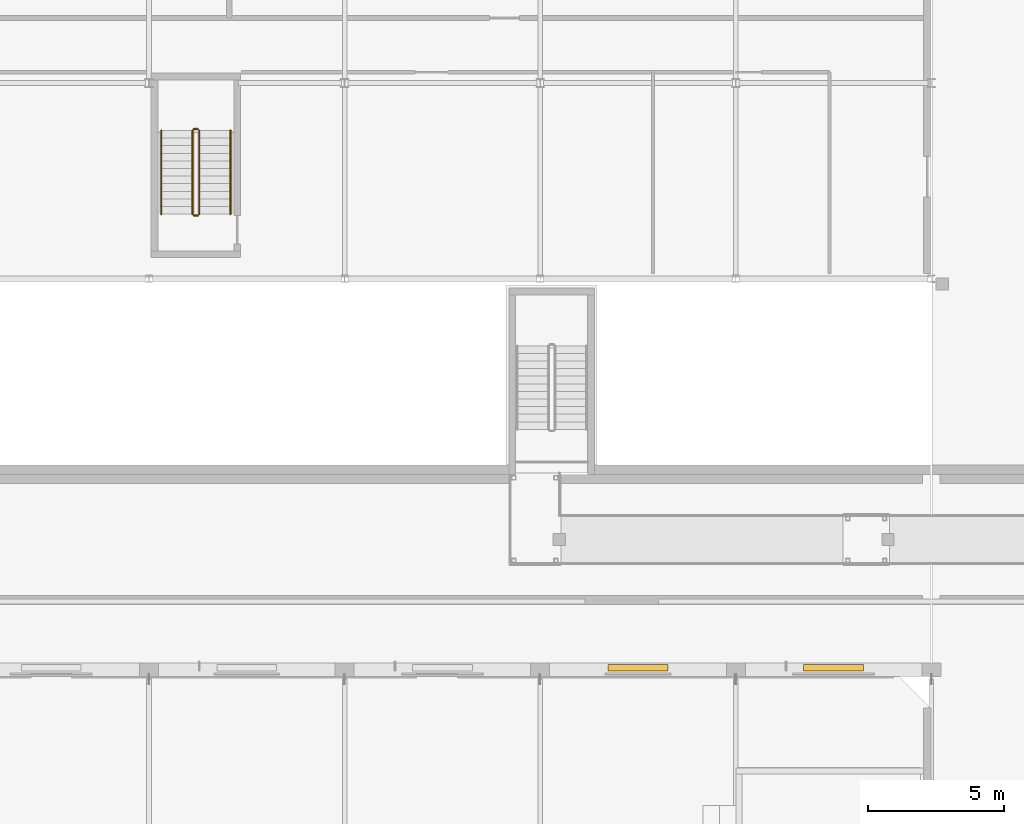
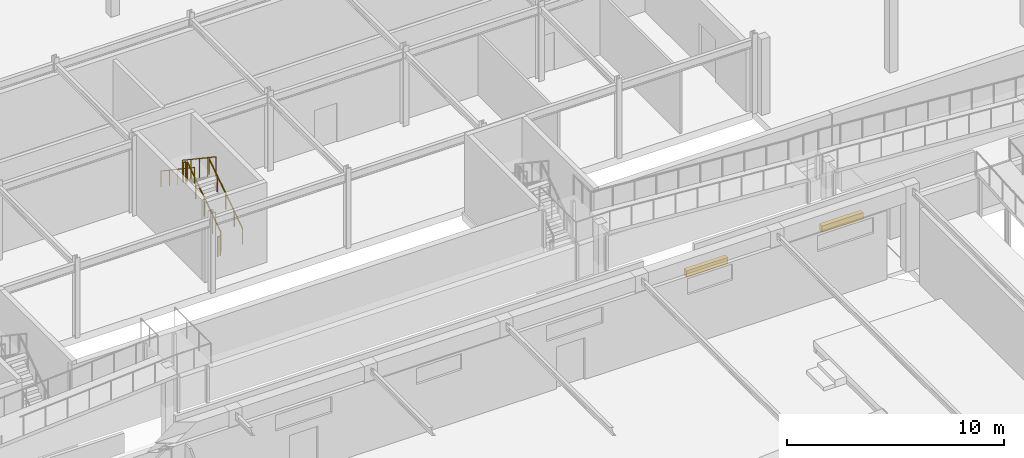
# One storey, part 80 of 85: 6 railings, 2 shading devices.
"""IFC4 building model written with IfcOpenShell, lengths in metres."""

from ifc_helpers import new_model, si_unit, direction, frame, origin, origin_2d, place, context, subcontext, project, spatial, rectangle, circle, extrude, material, type_object, element, save


model = new_model("IFC4")

# Units and contexts
model_context = context("Model", 3, precision=1e-05, world=origin(), true_north=direction((0.0, 1.0)))
body_context = subcontext(model_context, "Body", "Model", "MODEL_VIEW")
ifc_project = project(units=[si_unit("LENGTHUNIT", "METRE"), si_unit("AREAUNIT", "SQUARE_METRE"), si_unit("VOLUMEUNIT", "CUBIC_METRE"), si_unit("PLANEANGLEUNIT", "RADIAN"), si_unit("MASSUNIT", "GRAM", prefix="KILO")], contexts=[model_context])

# Site, building, storey
site_placement = place(None, origin())
site = spatial("IfcSite", under=ifc_project, at=site_placement, CompositionType="ELEMENT")
building_placement = place(site_placement, origin())
building = spatial("IfcBuilding", under=site, at=building_placement, Name="Ochrevale Crest", CompositionType="ELEMENT")
storey_placement = place(building_placement, origin())
storey = spatial("IfcBuildingStorey", under=building, at=storey_placement, Name="L00", CompositionType="ELEMENT", Elevation=0.0)

# Railings
ifc_material_1 = material(Name="Galvanised steel", Category="steel")
railing_type_1 = type_object("IfcRailingType", Name="RL-ST-GUARD", PredefinedType="BALUSTRADE", material=ifc_material_1)
railing_1_placement = place(storey_placement, frame((81.050048828125, 81.574951171875, 0.1875)))
element("IfcRailing", 1, at=railing_1_placement, inside=storey, type_object=railing_type_1, Name="L00 ST-N1 stair guard 1", PredefinedType="BALUSTRADE", context=body_context, shape_type="SweptSolid", body=[
    extrude(circle(Radius=0.02392578125, at=origin_2d()), frame((0.0, 0.0, 1.076171875), z_axis=(0.0, 0.830913701846, 0.55640131208), x_axis=(-1.0, 0.0, 0.0)), (0.0, 0.0, 1.0), 3.706787109375),
    extrude(circle(Radius=0.02099609375, at=origin_2d()), origin(), (0.0, 0.0, 1.0), 1.052001953125),
    extrude(circle(Radius=0.02099609375, at=origin_2d()), frame((0.0, 0.77001953125, 0.515625)), (0.0, 0.0, 1.0), 1.052001953125),
    extrude(circle(Radius=0.02099609375, at=origin_2d()), frame((0.0, 1.5400390625, 1.03125)), (0.0, 0.0, 1.0), 1.052001953125),
    extrude(circle(Radius=0.02099609375, at=origin_2d()), frame((0.0, 2.31005859375, 1.546875)), (0.0, 0.0, 1.0), 1.052001953125),
    extrude(circle(Radius=0.02099609375, at=origin_2d()), frame((0.0, 3.080078125, 2.0625)), (0.0, 0.0, 1.0), 1.052001953125),
])
railing_2_placement = place(storey_placement, frame((81.0, 84.705078125, 2.25)))
element("IfcRailing", 2, at=railing_2_placement, inside=storey, type_object=railing_type_1, Name="L00 ST-N1 stair guard 2", PredefinedType="BALUSTRADE", context=body_context, shape_type="SweptSolid", body=[
    extrude(circle(Radius=0.02392578125, at=origin_2d()), frame((0.0, 0.0, 1.076171875), z_axis=(-1.0, 0.0, 0.0), x_axis=(0.0, -1.0, 0.0)), (0.0, 0.0, 1.0), 0.14990234375),
    extrude(circle(Radius=0.02099609375, at=origin_2d()), origin(), (0.0, 0.0, 1.0), 1.052001953125),
    extrude(circle(Radius=0.02099609375, at=origin_2d()), frame((-0.14990234375, 0.0, 0.0)), (0.0, 0.0, 1.0), 1.052001953125),
])
railing_3_placement = place(storey_placement, frame((80.800048828125, 84.655029296875, 2.4375)))
element("IfcRailing", 3, at=railing_3_placement, inside=storey, type_object=railing_type_1, Name="L00 ST-N1 stair guard 3", PredefinedType="BALUSTRADE", context=body_context, shape_type="SweptSolid", body=[
    extrude(circle(Radius=0.02392578125, at=origin_2d()), frame((0.0, 0.0, 1.076171875), z_axis=(0.0, -0.830913701846, 0.55640131208), x_axis=(1.0, 0.0, 0.0)), (0.0, 0.0, 1.0), 3.706787109375),
    extrude(circle(Radius=0.02099609375, at=origin_2d()), origin(), (0.0, 0.0, 1.0), 1.052001953125),
    extrude(circle(Radius=0.02099609375, at=origin_2d()), frame((0.0, -0.77001953125, 0.515625)), (0.0, 0.0, 1.0), 1.052001953125),
    extrude(circle(Radius=0.02099609375, at=origin_2d()), frame((0.0, -1.5400390625, 1.03125)), (0.0, 0.0, 1.0), 1.052001953125),
    extrude(circle(Radius=0.02099609375, at=origin_2d()), frame((0.0, -2.31005859375, 1.546875)), (0.0, 0.0, 1.0), 1.052001953125),
    extrude(circle(Radius=0.02099609375, at=origin_2d()), frame((0.0, -3.080078125, 2.0625)), (0.0, 0.0, 1.0), 1.052001953125),
])
railing_4_placement = place(storey_placement, frame((81.0, 81.52490234375, 0.0)))
element("IfcRailing", 4, at=railing_4_placement, inside=storey, type_object=railing_type_1, Name="L00 ST-N1 stair guard 4", PredefinedType="BALUSTRADE", context=body_context, shape_type="SweptSolid", body=[
    extrude(circle(Radius=0.02392578125, at=origin_2d()), frame((0.0, 0.0, 1.076171875), z_axis=(-1.0, 0.0, 0.0), x_axis=(0.0, -1.0, 0.0)), (0.0, 0.0, 1.0), 0.14990234375),
    extrude(circle(Radius=0.02099609375, at=origin_2d()), origin(), (0.0, 0.0, 1.0), 1.052001953125),
    extrude(circle(Radius=0.02099609375, at=origin_2d()), frame((-0.14990234375, 0.0, 0.0)), (0.0, 0.0, 1.0), 1.052001953125),
])
ifc_material_2 = material(Name="Stainless steel", Category="steel")
railing_type_2 = type_object("IfcRailingType", Name="RL-ST-HRAIL", PredefinedType="HANDRAIL", material=ifc_material_2)
railing_5_placement = place(storey_placement, frame((82.199951171875, 81.574951171875, 0.1875)))
element("IfcRailing", 5, at=railing_5_placement, inside=storey, type_object=railing_type_2, Name="L00 ST-N1 stair handrail 1", PredefinedType="HANDRAIL", context=body_context, shape_type="SweptSolid", body=[
    extrude(circle(Radius=0.02392578125, at=origin_2d()), frame((0.0, 0.0, 0.8759765625), z_axis=(0.0, 0.830913701846, 0.55640131208), x_axis=(-1.0, 0.0, 0.0)), (0.0, 0.0, 1.0), 3.706787109375),
    extrude(circle(Radius=0.02099609375, at=origin_2d()), origin(), (0.0, 0.0, 1.0), 0.851806640625),
    extrude(circle(Radius=0.02099609375, at=origin_2d()), frame((0.0, 0.77001953125, 0.515625)), (0.0, 0.0, 1.0), 0.851806640625),
    extrude(circle(Radius=0.02099609375, at=origin_2d()), frame((0.0, 1.5400390625, 1.03125)), (0.0, 0.0, 1.0), 0.851806640625),
    extrude(circle(Radius=0.02099609375, at=origin_2d()), frame((0.0, 2.31005859375, 1.546875)), (0.0, 0.0, 1.0), 0.851806640625),
    extrude(circle(Radius=0.02099609375, at=origin_2d()), frame((0.0, 3.080078125, 2.0625)), (0.0, 0.0, 1.0), 0.851806640625),
])
railing_6_placement = place(storey_placement, frame((79.64990234375, 84.655029296875, 2.4375)))
element("IfcRailing", 6, at=railing_6_placement, inside=storey, type_object=railing_type_2, Name="L00 ST-N1 stair handrail 2", PredefinedType="HANDRAIL", context=body_context, shape_type="SweptSolid", body=[
    extrude(circle(Radius=0.02392578125, at=origin_2d()), frame((0.0, 0.0, 0.8759765625), z_axis=(0.0, -0.830913701846, 0.55640131208), x_axis=(1.0, 0.0, 0.0)), (0.0, 0.0, 1.0), 3.706787109375),
    extrude(circle(Radius=0.02099609375, at=origin_2d()), origin(), (0.0, 0.0, 1.0), 0.851806640625),
    extrude(circle(Radius=0.02099609375, at=origin_2d()), frame((0.0, -0.77001953125, 0.515625)), (0.0, 0.0, 1.0), 0.851806640625),
    extrude(circle(Radius=0.02099609375, at=origin_2d()), frame((0.0, -1.5400390625, 1.03125)), (0.0, 0.0, 1.0), 0.851806640625),
    extrude(circle(Radius=0.02099609375, at=origin_2d()), frame((0.0, -2.31005859375, 1.546875)), (0.0, 0.0, 1.0), 0.851806640625),
    extrude(circle(Radius=0.02099609375, at=origin_2d()), frame((0.0, -3.080078125, 2.0625)), (0.0, 0.0, 1.0), 0.851806640625),
])

# Shading devices
ifc_material_3 = material(Name="Anodised aluminium 6063-T5", Category="aluminium")
shading_device_type = type_object("IfcShadingDeviceType", Name="SHD-LOUVRE-AL", PredefinedType="JALOUSIE", material=ifc_material_3)
for number, where, z_axis, x_axis, name in (
    (7, (97.199951171875, 64.8798828125, 3.64501953125), (0.0, 0.0, 1.0), (1.0, 0.0, 0.0), "Community Hall N bronze sun-control louvre 6"),
    (8, (104.39990234375, 64.8798828125, 3.64501953125), (0.0, 0.0, 1.0), (1.0, 0.0, 0.0), "Community Hall N bronze sun-control louvre 7"),
):
    element("IfcShadingDevice", number, at=place(storey_placement, frame(where, z_axis=z_axis, x_axis=x_axis)), inside=storey, type_object=shading_device_type, Name=name, PredefinedType="JALOUSIE", context=body_context, shape_type="SweptSolid", body=[
        extrude(rectangle(XDim=2.199951171875, YDim=0.239990234375, at=origin_2d()), origin(), (0.0, 0.0, 1.0), 0.35009765625),
    ])

save(model, "model.ifc")
